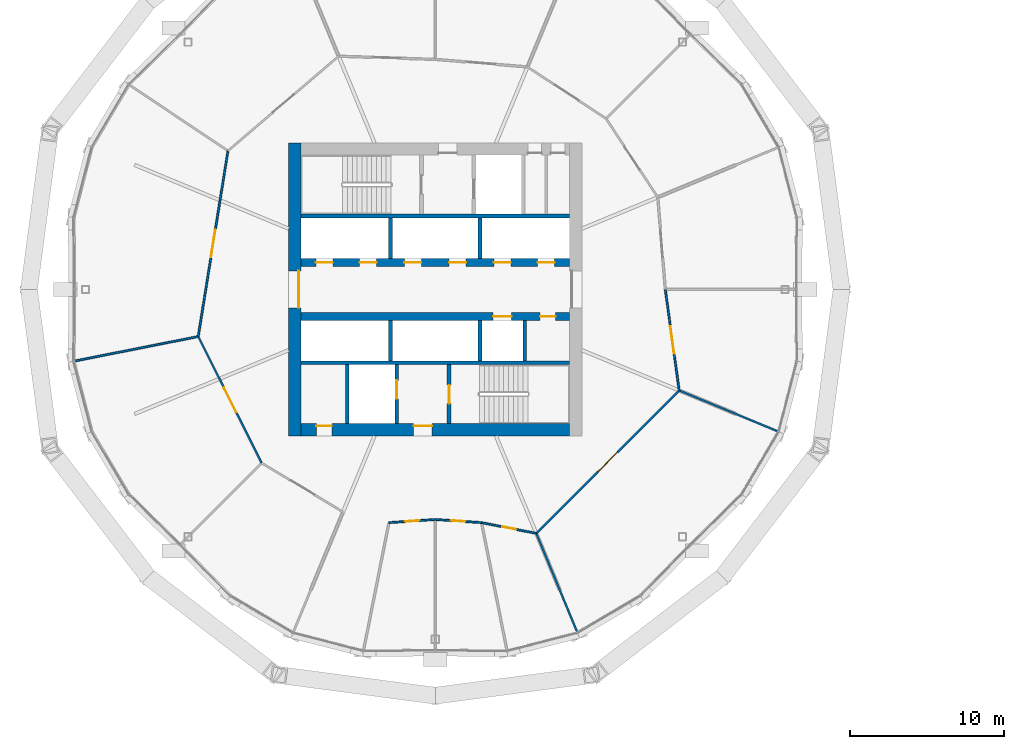
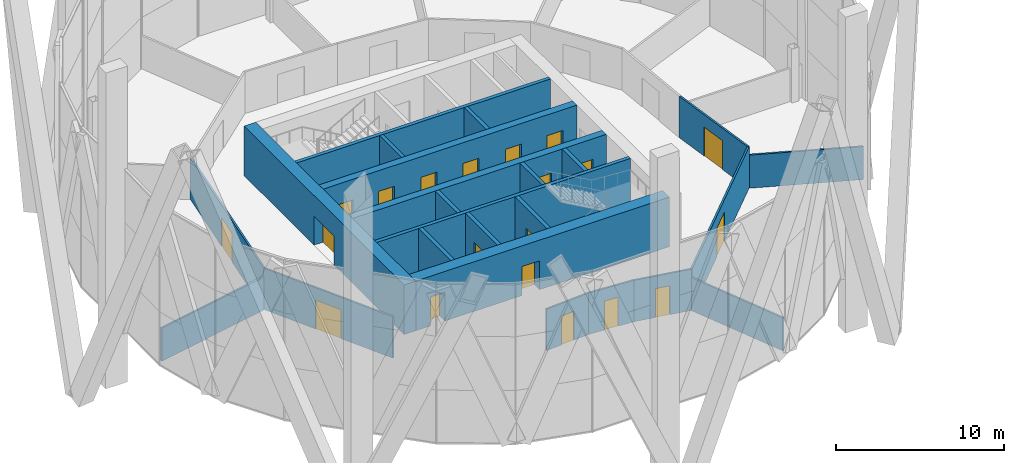
# One storey, part 19 of 26: 24 walls, 20 doors, 20 openings.
"""IFC4 building model written with IfcOpenShell, lengths in metres."""

from ifc_helpers import new_model, si_unit, direction, frame, frame_2d, origin, place, context, subcontext, project, spatial, rectangle, extrude, material, layer, layer_set, type_object, element, fill, save


model = new_model("IFC4")

# Units and contexts
model_context = context("Model", 3, precision=1e-05, world=origin(), true_north=direction((0.0, 1.0)))
body_context = subcontext(model_context, "Body", "Model", "MODEL_VIEW")
ifc_project = project(units=[si_unit("LENGTHUNIT", "METRE"), si_unit("AREAUNIT", "SQUARE_METRE"), si_unit("VOLUMEUNIT", "CUBIC_METRE"), si_unit("PLANEANGLEUNIT", "RADIAN"), si_unit("MASSUNIT", "GRAM", prefix="KILO")], contexts=[model_context])

# Site, building, storey
site_placement = place(None, origin())
site = spatial("IfcSite", under=ifc_project, at=site_placement, CompositionType="ELEMENT")
building_placement = place(site_placement, origin())
building = spatial("IfcBuilding", under=site, at=building_placement, Name="Ogive Gate Towers", CompositionType="ELEMENT")
storey_placement = place(building_placement, frame((0.0, 0.0, 76.199951171875)))
storey = spatial("IfcBuildingStorey", under=building, at=storey_placement, Name="L17", CompositionType="ELEMENT", Elevation=76.199951171875)

# Wall, openings, doors
ifc_material_1 = material(Name="Concrete C60/75", Category="concrete")
ifc_layer_1 = layer(ifc_material_1, 0.800048828125)
ifc_layer_set_1 = layer_set([ifc_layer_1], Name="Core wall 800 mm")
wall_type_1 = type_object("IfcWallType", Name="Core wall 800 mm", PredefinedType="SHEAR", material=ifc_layer_set_1)
wall_1_placement = place(storey_placement, frame((-44.699951171875, -9.10009765625, 0.0), z_axis=(0.0, 0.0, 1.0), x_axis=(1.0, 0.0, 0.0)))
wall_1 = element("IfcWall", 1, at=wall_1_placement, inside=storey, type_object=wall_type_1, Name="T1 L17 Core wall 800 mm", PredefinedType="SHEAR", context=body_context, shape_type="SweptSolid", body=[
    extrude(rectangle(XDim=17.39990234375, YDim=0.800048828125, at=frame_2d((8.699951171875, 0.0))), origin(), (0.0, 0.0, 1.0), 3.60009765625),
])
opening_1_placement = place(wall_1_placement, frame((7.300048828125, 0.0, 0.0)))
opening_1 = element("IfcOpeningElement", 2, at=opening_1_placement, cuts=wall_1, Name="Opening KD-T1-L17-16", PredefinedType="OPENING", context=body_context, shape_type="SweptSolid", body=[
    extrude(rectangle(XDim=1.199951171875, YDim=2.10009765625, at=frame_2d((0.60009765625, 1.050048828125))), frame((0.0, 0.41015625, 0.0), z_axis=(0.0, -1.0, 0.0), x_axis=(1.0, 0.0, 0.0)), (0.0, 0.0, 1.0), 0.820068359375),
])
opening_2_placement = place(wall_1_placement, frame((1.0, 0.0, 0.0)))
opening_2 = element("IfcOpeningElement", 3, at=opening_2_placement, cuts=wall_1, Name="Opening KD-T1-L17-19", PredefinedType="OPENING", context=body_context, shape_type="SweptSolid", body=[
    extrude(rectangle(XDim=1.0, YDim=2.10009765625, at=frame_2d((0.5, 1.050048828125))), frame((0.0, 0.41015625, 0.0), z_axis=(0.0, -1.0, 0.0), x_axis=(1.0, 0.0, 0.0)), (0.0, 0.0, 1.0), 0.820068359375),
])
ifc_material_2 = material(Name="Timber door", Category="wood")
door_type_1 = type_object("IfcDoorType", Name="Accessible WC door 1000 x 2100", OperationType="NOTDEFINED", PredefinedType="DOOR", material=ifc_material_2)
door_1_placement = place(opening_2_placement, origin())
door_1 = element("IfcDoor", 4, at=door_1_placement, inside=storey, type_object=door_type_1, Name="T1 L17 Core door", OperationType="SINGLE_SWING_RIGHT", OverallHeight=2.10009765625, OverallWidth=1.0, PredefinedType="DOOR", context=body_context, shape_type="SweptSolid", body=[
    extrude(rectangle(XDim=1.0, YDim=2.10009765625, at=frame_2d((0.5, 1.050048828125))), frame((0.0, 0.27490234375, 0.0), z_axis=(0.0, -1.0, 0.0), x_axis=(1.0, 0.0, 0.0)), (0.0, 0.0, 1.0), 0.050048828125),
])
fill(opening_2, door_1)
ifc_material_3 = material(Name="Steel fire door", Category="steel")
door_type_2 = type_object("IfcDoorType", Name="Core door FD60S 1200 x 2100", OperationType="NOTDEFINED", PredefinedType="DOOR", material=ifc_material_3)
door_2_placement = place(opening_1_placement, origin())
door_2 = element("IfcDoor", 5, at=door_2_placement, inside=storey, type_object=door_type_2, Name="T1 L17 Fire-fighting lobby door", OperationType="SINGLE_SWING_LEFT", OverallHeight=2.10009765625, OverallWidth=1.199951171875, PredefinedType="DOOR", context=body_context, shape_type="SweptSolid", body=[
    extrude(rectangle(XDim=1.199951171875, YDim=2.10009765625, at=frame_2d((0.60009765625, 1.050048828125))), frame((0.0, 0.27490234375, 0.0), z_axis=(0.0, -1.0, 0.0), x_axis=(1.0, 0.0, 0.0)), (0.0, 0.0, 1.0), 0.050048828125),
])
fill(opening_1, door_2)

# Wall, opening, door
wall_2_placement = place(storey_placement, frame((-45.10009765625, -9.5, 0.0), z_axis=(0.0, 0.0, 1.0), x_axis=(0.0, 1.0, 0.0)))
wall_2 = element("IfcWall", 6, at=wall_2_placement, inside=storey, type_object=wall_type_1, Name="T1 L17 Core wall 800 mm", PredefinedType="SHEAR", context=body_context, shape_type="SweptSolid", body=[
    extrude(rectangle(XDim=19.0, YDim=0.800048828125, at=frame_2d((9.5, 0.0))), origin(), (0.0, 0.0, 1.0), 3.60009765625),
])
opening_3_placement = place(wall_2_placement, frame((8.300048828125, 0.0, 0.0)))
opening_3 = element("IfcOpeningElement", 7, at=opening_3_placement, cuts=wall_2, Name="Opening KD-T1-L17-01", PredefinedType="OPENING", context=body_context, shape_type="SweptSolid", body=[
    extrude(rectangle(XDim=2.39990234375, YDim=2.10009765625, at=frame_2d((1.199951171875, 1.050048828125))), frame((0.0, 0.41015625, 0.0), z_axis=(0.0, -1.0, 0.0), x_axis=(1.0, 0.0, 0.0)), (0.0, 0.0, 1.0), 0.820068359375),
])
door_type_3 = type_object("IfcDoorType", Name="Core double door FD60S 2400 x 2100", OperationType="DOUBLE_DOOR_SINGLE_SWING", PredefinedType="DOOR", material=ifc_material_3)
door_3_placement = place(opening_3_placement, origin())
door_3 = element("IfcDoor", 8, at=door_3_placement, inside=storey, type_object=door_type_3, Name="T1 L17 Core door double", OperationType="DOUBLE_DOOR_SINGLE_SWING", OverallHeight=2.10009765625, OverallWidth=2.39990234375, PredefinedType="DOOR", context=body_context, shape_type="SweptSolid", body=[
    extrude(rectangle(XDim=2.39990234375, YDim=2.10009765625, at=frame_2d((1.199951171875, 1.050048828125))), frame((0.0, -0.22509765625, 0.0), z_axis=(0.0, -1.0, 0.0), x_axis=(1.0, 0.0, 0.0)), (0.0, 0.0, 1.0), 0.050048828125),
])
fill(opening_3, door_3)

# Walls
ifc_material_4 = material(Name="Gypsum board partition")
ifc_layer_2 = layer(ifc_material_4, 0.125)
ifc_layer_set_2 = layer_set([ifc_layer_2], Name="Partition 125")
wall_type_2 = type_object("IfcWallType", Name="Partition 125", PredefinedType="PARTITIONING", material=ifc_layer_set_2)
wall_3_placement = place(storey_placement, frame((-59.34375, -4.6357421875, 0.0), z_axis=(0.0, 0.0, 1.0), x_axis=(0.980844858088, 0.194790565382, 0.0)))
element("IfcWall", 9, at=wall_3_placement, inside=storey, type_object=wall_type_2, Name="Partition T1-L17-008", PredefinedType="PARTITIONING", context=body_context, shape_type="SweptSolid", body=[
    extrude(rectangle(XDim=8.07666015625, YDim=0.125, at=frame_2d((4.038330078125, 0.0))), origin(), (0.0, 0.0, 1.0), 2.400146484375),
])
for number, where, z_axis, x_axis, name in (
    (10, (-26.815673828125, -22.173095703125, 0.0), (0.0, 0.0, 1.0), (-0.382671864206, 0.923884324115, 0.0), "Partition T1-L17-014"),
    (11, (-13.826904296875, -9.184326171875, 0.0), (0.0, 0.0, 1.0), (-0.923884324115, 0.382671864206, 0.0), "Partition T1-L17-015"),
):
    element("IfcWall", number, at=place(storey_placement, frame(where, z_axis=z_axis, x_axis=x_axis)), inside=storey, type_object=wall_type_2, Name=name, PredefinedType="PARTITIONING", context=body_context, shape_type="SweptSolid", body=[
        extrude(rectangle(XDim=6.826416015625, YDim=0.125, at=frame_2d((3.4130859375, 0.0))), origin(), (0.0, 0.0, 1.0), 2.400146484375),
    ])

# Wall, opening, door
wall_4_placement = place(storey_placement, frame((-39.001708984375, -15.115478515625, 0.0), z_axis=(0.0, 0.0, 1.0), x_axis=(0.997663247132, 0.068323095086, 0.0)))
wall_4 = element("IfcWall", 12, at=wall_4_placement, inside=storey, type_object=wall_type_2, Name="Partition T1-L17-016", PredefinedType="PARTITIONING", context=body_context, shape_type="SweptSolid", body=[
    extrude(rectangle(XDim=3.0087890625, YDim=0.125, at=frame_2d((1.50439453125, 0.0))), origin(), (0.0, 0.0, 1.0), 3.010009765625),
])
opening_4_placement = place(wall_4_placement, frame((1.053955078125, 0.0, 0.0)))
opening_4 = element("IfcOpeningElement", 13, at=opening_4_placement, cuts=wall_4, Name="Opening T1-L17-D01", PredefinedType="OPENING", context=body_context, shape_type="SweptSolid", body=[
    extrude(rectangle(XDim=0.89990234375, YDim=2.10009765625, at=frame_2d((0.449951171875, 1.050048828125))), frame((0.0, 0.072509765625, 0.0), z_axis=(0.0, -1.0, 0.0), x_axis=(1.0, 0.0, 0.0)), (0.0, 0.0, 1.0), 0.14501953125),
])
door_type_4 = type_object("IfcDoorType", Name="Door 900", OperationType="NOTDEFINED", PredefinedType="DOOR", material=ifc_material_2)
door_4_placement = place(opening_4_placement, origin())
door_4 = element("IfcDoor", 14, at=door_4_placement, inside=storey, type_object=door_type_4, Name="Door T1-L17-D01", OperationType="SINGLE_SWING_RIGHT", OverallHeight=2.10009765625, OverallWidth=0.89990234375, PredefinedType="DOOR", context=body_context, shape_type="SweptSolid", body=[
    extrude(rectangle(XDim=0.89990234375, YDim=2.10009765625, at=frame_2d((0.449951171875, 1.050048828125))), frame((0.0, 0.02490234375, 0.0), z_axis=(0.0, -1.0, 0.0), x_axis=(1.0, 0.0, 0.0)), (0.0, 0.0, 1.0), 0.050048828125),
])
fill(opening_4, door_4)

wall_5_placement = place(storey_placement, frame((-36.0, -14.909912109375, 0.0), z_axis=(0.0, 0.0, 1.0), x_axis=(0.997663247132, -0.068323095086, 0.0)))
wall_5 = element("IfcWall", 15, at=wall_5_placement, inside=storey, type_object=wall_type_2, Name="Partition T1-L17-017", PredefinedType="PARTITIONING", context=body_context, shape_type="SweptSolid", body=[
    extrude(rectangle(XDim=3.0087890625, YDim=0.125, at=frame_2d((1.50439453125, 0.0))), origin(), (0.0, 0.0, 1.0), 3.010009765625),
])
opening_5_placement = place(wall_5_placement, frame((1.053955078125, 0.0, 0.0)))
opening_5 = element("IfcOpeningElement", 16, at=opening_5_placement, cuts=wall_5, Name="Opening T1-L17-D02", PredefinedType="OPENING", context=body_context, shape_type="SweptSolid", body=[
    extrude(rectangle(XDim=0.89990234375, YDim=2.10009765625, at=frame_2d((0.449951171875, 1.050048828125))), frame((0.0, 0.072509765625, 0.0), z_axis=(0.0, -1.0, 0.0), x_axis=(1.0, 0.0, 0.0)), (0.0, 0.0, 1.0), 0.14501953125),
])
door_5_placement = place(opening_5_placement, origin())
door_5 = element("IfcDoor", 17, at=door_5_placement, inside=storey, type_object=door_type_4, Name="Door T1-L17-D02", OperationType="SINGLE_SWING_LEFT", OverallHeight=2.10009765625, OverallWidth=0.89990234375, PredefinedType="DOOR", context=body_context, shape_type="SweptSolid", body=[
    extrude(rectangle(XDim=0.89990234375, YDim=2.10009765625, at=frame_2d((0.449951171875, 1.050048828125))), frame((0.0, 0.02490234375, 0.0), z_axis=(0.0, -1.0, 0.0), x_axis=(1.0, 0.0, 0.0)), (0.0, 0.0, 1.0), 0.050048828125),
])
fill(opening_5, door_5)

wall_6_placement = place(storey_placement, frame((-32.998291015625, -15.115478515625, 0.0), z_axis=(0.0, 0.0, 1.0), x_axis=(0.981431383332, -0.191813554817, 0.0)))
wall_6 = element("IfcWall", 18, at=wall_6_placement, inside=storey, type_object=wall_type_2, Name="Partition T1-L17-018", PredefinedType="PARTITIONING", context=body_context, shape_type="SweptSolid", body=[
    extrude(rectangle(XDim=3.613525390625, YDim=0.125, at=frame_2d((1.806640625, 0.0))), origin(), (0.0, 0.0, 1.0), 3.0),
])
opening_6_placement = place(wall_6_placement, frame((1.35693359375, 0.0, 0.0)))
opening_6 = element("IfcOpeningElement", 19, at=opening_6_placement, cuts=wall_6, Name="Opening T1-L17-D03", PredefinedType="OPENING", context=body_context, shape_type="SweptSolid", body=[
    extrude(rectangle(XDim=0.89990234375, YDim=2.10009765625, at=frame_2d((0.449951171875, 1.050048828125))), frame((0.0, 0.072509765625, 0.0), z_axis=(0.0, -1.0, 0.0), x_axis=(1.0, 0.0, 0.0)), (0.0, 0.0, 1.0), 0.14501953125),
])
door_6_placement = place(opening_6_placement, origin())
door_6 = element("IfcDoor", 20, at=door_6_placement, inside=storey, type_object=door_type_4, Name="Door T1-L17-D03", OperationType="SINGLE_SWING_RIGHT", OverallHeight=2.10009765625, OverallWidth=0.89990234375, PredefinedType="DOOR", context=body_context, shape_type="SweptSolid", body=[
    extrude(rectangle(XDim=0.89990234375, YDim=2.10009765625, at=frame_2d((0.449951171875, 1.050048828125))), frame((0.0, 0.02490234375, 0.0), z_axis=(0.0, -1.0, 0.0), x_axis=(1.0, 0.0, 0.0)), (0.0, 0.0, 1.0), 0.050048828125),
])
fill(opening_6, door_6)

wall_7_placement = place(storey_placement, frame((-29.451904296875, -15.80859375, 0.0), z_axis=(0.0, 0.0, 1.0), x_axis=(0.707106781187, 0.707106781187, 0.0)))
wall_7 = element("IfcWall", 21, at=wall_7_placement, inside=storey, type_object=wall_type_2, Name="Partition T1-L17-019", PredefinedType="PARTITIONING", context=body_context, shape_type="SweptSolid", body=[
    extrude(rectangle(XDim=13.096435546875, YDim=0.125, at=frame_2d((6.54833984375, 0.0))), origin(), (0.0, 0.0, 1.0), 3.0),
])
opening_7_placement = place(wall_7_placement, frame((5.64794921875, 0.0, 0.0)))
opening_7 = element("IfcOpeningElement", 22, at=opening_7_placement, cuts=wall_7, Name="Opening T1-L17-D04", PredefinedType="OPENING", context=body_context, shape_type="SweptSolid", body=[
    extrude(rectangle(XDim=1.800048828125, YDim=2.10009765625, at=frame_2d((0.89990234375, 1.050048828125))), frame((0.0, 0.072509765625, 0.0), z_axis=(0.0, -1.0, 0.0), x_axis=(1.0, 0.0, 0.0)), (0.0, 0.0, 1.0), 0.14501953125),
])
door_type_5 = type_object("IfcDoorType", Name="Door pair 1800", OperationType="NOTDEFINED", PredefinedType="DOOR", material=ifc_material_2)
door_7_placement = place(opening_7_placement, origin())
door_7 = element("IfcDoor", 23, at=door_7_placement, inside=storey, type_object=door_type_5, Name="Door T1-L17-D04", OperationType="DOUBLE_DOOR_DOUBLE_SWING", OverallHeight=2.10009765625, OverallWidth=1.800048828125, PredefinedType="DOOR", context=body_context, shape_type="SweptSolid", body=[
    extrude(rectangle(XDim=1.800048828125, YDim=2.10009765625, at=frame_2d((0.89990234375, 1.050048828125))), frame((0.0, 0.02490234375, 0.0), z_axis=(0.0, -1.0, 0.0), x_axis=(1.0, 0.0, 0.0)), (0.0, 0.0, 1.0), 0.050048828125),
])
fill(opening_7, door_7)

wall_8_placement = place(storey_placement, frame((-20.19140625, -6.548095703125, 0.0), z_axis=(0.0, 0.0, 1.0), x_axis=(-0.135968646616, 0.990713140691, 0.0)))
wall_8 = element("IfcWall", 24, at=wall_8_placement, inside=storey, type_object=wall_type_2, Name="Partition T1-L17-020", PredefinedType="PARTITIONING", context=body_context, shape_type="SweptSolid", body=[
    extrude(rectangle(XDim=6.609375, YDim=0.125, at=frame_2d((3.3046875, 0.0))), origin(), (0.0, 0.0, 1.0), 3.0),
])
opening_8_placement = place(wall_8_placement, frame((2.405029296875, 0.0, 0.0)))
opening_8 = element("IfcOpeningElement", 25, at=opening_8_placement, cuts=wall_8, Name="Opening T1-L17-D05", PredefinedType="OPENING", context=body_context, shape_type="SweptSolid", body=[
    extrude(rectangle(XDim=1.800048828125, YDim=2.10009765625, at=frame_2d((0.89990234375, 1.050048828125))), frame((0.0, 0.072509765625, 0.0), z_axis=(0.0, -1.0, 0.0), x_axis=(1.0, 0.0, 0.0)), (0.0, 0.0, 1.0), 0.14501953125),
])
door_8_placement = place(opening_8_placement, origin())
door_8 = element("IfcDoor", 26, at=door_8_placement, inside=storey, type_object=door_type_5, Name="Door T1-L17-D05", OperationType="DOUBLE_DOOR_DOUBLE_SWING", OverallHeight=2.10009765625, OverallWidth=1.800048828125, PredefinedType="DOOR", context=body_context, shape_type="SweptSolid", body=[
    extrude(rectangle(XDim=1.800048828125, YDim=2.10009765625, at=frame_2d((0.89990234375, 1.050048828125))), frame((0.0, 0.02490234375, 0.0), z_axis=(0.0, -1.0, 0.0), x_axis=(1.0, 0.0, 0.0)), (0.0, 0.0, 1.0), 0.050048828125),
])
fill(opening_8, door_8)

wall_9_placement = place(storey_placement, frame((-49.43408203125, 8.982666015625, 0.0), z_axis=(0.0, 0.0, 1.0), x_axis=(-0.158089733584, -0.987424749606, 0.0)))
wall_9 = element("IfcWall", 27, at=wall_9_placement, inside=storey, type_object=wall_type_2, Name="Partition T1-L17-027", PredefinedType="PARTITIONING", context=body_context, shape_type="SweptSolid", body=[
    extrude(rectangle(XDim=12.186279296875, YDim=0.125, at=frame_2d((6.09326171875, 0.0))), origin(), (0.0, 0.0, 1.0), 3.0),
])
opening_9_placement = place(wall_9_placement, frame((5.193115234375, 0.0, 0.0)))
opening_9 = element("IfcOpeningElement", 28, at=opening_9_placement, cuts=wall_9, Name="Opening T1-L17-D12", PredefinedType="OPENING", context=body_context, shape_type="SweptSolid", body=[
    extrude(rectangle(XDim=1.800048828125, YDim=2.10009765625, at=frame_2d((0.89990234375, 1.050048828125))), frame((0.0, 0.072509765625, 0.0), z_axis=(0.0, -1.0, 0.0), x_axis=(1.0, 0.0, 0.0)), (0.0, 0.0, 1.0), 0.14501953125),
])
door_9_placement = place(opening_9_placement, origin())
door_9 = element("IfcDoor", 29, at=door_9_placement, inside=storey, type_object=door_type_5, Name="Door T1-L17-D12", OperationType="DOUBLE_DOOR_DOUBLE_SWING", OverallHeight=2.10009765625, OverallWidth=1.800048828125, PredefinedType="DOOR", context=body_context, shape_type="SweptSolid", body=[
    extrude(rectangle(XDim=1.800048828125, YDim=2.10009765625, at=frame_2d((0.89990234375, 1.050048828125))), frame((0.0, 0.02490234375, 0.0), z_axis=(0.0, -1.0, 0.0), x_axis=(1.0, 0.0, 0.0)), (0.0, 0.0, 1.0), 0.050048828125),
])
fill(opening_9, door_9)

wall_10_placement = place(storey_placement, frame((-51.360595703125, -3.05029296875, 0.0), z_axis=(0.0, 0.0, 1.0), x_axis=(0.448150268207, -0.893958241254, 0.0)))
wall_10 = element("IfcWall", 30, at=wall_10_placement, inside=storey, type_object=wall_type_2, Name="Partition T1-L17-028", PredefinedType="PARTITIONING", context=body_context, shape_type="SweptSolid", body=[
    extrude(rectangle(XDim=9.17236328125, YDim=0.125, at=frame_2d((4.586181640625, 0.0))), origin(), (0.0, 0.0, 1.0), 3.0),
])
opening_10_placement = place(wall_10_placement, frame((3.68603515625, 0.0, 0.0)))
opening_10 = element("IfcOpeningElement", 31, at=opening_10_placement, cuts=wall_10, Name="Opening T1-L17-D13", PredefinedType="OPENING", context=body_context, shape_type="SweptSolid", body=[
    extrude(rectangle(XDim=1.800048828125, YDim=2.10009765625, at=frame_2d((0.89990234375, 1.050048828125))), frame((0.0, 0.072509765625, 0.0), z_axis=(0.0, -1.0, 0.0), x_axis=(1.0, 0.0, 0.0)), (0.0, 0.0, 1.0), 0.14501953125),
])
door_10_placement = place(opening_10_placement, origin())
door_10 = element("IfcDoor", 32, at=door_10_placement, inside=storey, type_object=door_type_5, Name="Door T1-L17-D13", OperationType="DOUBLE_DOOR_DOUBLE_SWING", OverallHeight=2.10009765625, OverallWidth=1.800048828125, PredefinedType="DOOR", context=body_context, shape_type="SweptSolid", body=[
    extrude(rectangle(XDim=1.800048828125, YDim=2.10009765625, at=frame_2d((0.89990234375, 1.050048828125))), frame((0.0, 0.02490234375, 0.0), z_axis=(0.0, -1.0, 0.0), x_axis=(1.0, 0.0, 0.0)), (0.0, 0.0, 1.0), 0.050048828125),
])
fill(opening_10, door_10)

# Walls
ifc_layer_3 = layer(ifc_material_1, 0.25)
ifc_layer_set_3 = layer_set([ifc_layer_3], Name="Shaft wall 250 mm")
wall_type_3 = type_object("IfcWallType", Name="Shaft wall 250 mm", PredefinedType="SHEAR", material=ifc_layer_set_3)
for number, where, z_axis, x_axis, name in (
    (33, (-44.699951171875, -4.75, 0.0), (0.0, 0.0, 1.0), (1.0, 0.0, 0.0), "T1 L17 Shaft wall 250 mm"),
    (34, (-44.699951171875, 4.75, 0.0), (0.0, 0.0, 1.0), (1.0, 0.0, 0.0), "T1 L17 Shaft wall 250 mm"),
):
    element("IfcWall", number, at=place(storey_placement, frame(where, z_axis=z_axis, x_axis=x_axis)), inside=storey, type_object=wall_type_3, Name=name, PredefinedType="SHEAR", context=body_context, shape_type="SweptSolid", body=[
        extrude(rectangle(XDim=17.39990234375, YDim=0.25, at=frame_2d((8.699951171875, 0.0))), origin(), (0.0, 0.0, 1.0), 3.60009765625),
    ])
wall_11_placement = place(storey_placement, frame((-41.699951171875, -8.699951171875, 0.0), z_axis=(0.0, 0.0, 1.0), x_axis=(0.0, 1.0, 0.0)))
element("IfcWall", 35, at=wall_11_placement, inside=storey, type_object=wall_type_3, Name="T1 L17 Shaft wall 250 mm", PredefinedType="SHEAR", context=body_context, shape_type="SweptSolid", body=[
    extrude(rectangle(XDim=3.824951171875, YDim=0.25, at=frame_2d((1.91259765625, 0.0))), origin(), (0.0, 0.0, 1.0), 3.60009765625),
])
for number, where, z_axis, x_axis, name in (
    (36, (-38.89990234375, -4.625, 0.0), (0.0, 0.0, 1.0), (0.0, 1.0, 0.0), "T1 L17 Shaft wall 250 mm"),
    (37, (-38.89990234375, 2.0, 0.0), (0.0, 0.0, 1.0), (0.0, 1.0, 0.0), "T1 L17 Shaft wall 250 mm"),
):
    element("IfcWall", number, at=place(storey_placement, frame(where, z_axis=z_axis, x_axis=x_axis)), inside=storey, type_object=wall_type_3, Name=name, PredefinedType="SHEAR", context=body_context, shape_type="SweptSolid", body=[
        extrude(rectangle(XDim=2.625, YDim=0.25, at=frame_2d((1.3125, 0.0))), origin(), (0.0, 0.0, 1.0), 3.60009765625),
    ])

# Wall, opening, door
wall_12_placement = place(storey_placement, frame((-38.5, -8.699951171875, 0.0), z_axis=(0.0, 0.0, 1.0), x_axis=(0.0, 1.0, 0.0)))
wall_12 = element("IfcWall", 38, at=wall_12_placement, inside=storey, type_object=wall_type_3, Name="T1 L17 Shaft wall 250 mm", PredefinedType="SHEAR", context=body_context, shape_type="SweptSolid", body=[
    extrude(rectangle(XDim=3.824951171875, YDim=0.25, at=frame_2d((1.91259765625, 0.0))), origin(), (0.0, 0.0, 1.0), 3.60009765625),
])
opening_11_placement = place(wall_12_placement, frame((1.60009765625, 0.0, 0.0)))
opening_11 = element("IfcOpeningElement", 39, at=opening_11_placement, cuts=wall_12, Name="Opening LD-T1-L17-11", PredefinedType="OPENING", context=body_context, shape_type="SweptSolid", body=[
    extrude(rectangle(XDim=1.199951171875, YDim=2.10009765625, at=frame_2d((0.60009765625, 1.050048828125))), frame((0.0, 0.135009765625, 0.0), z_axis=(0.0, -1.0, 0.0), x_axis=(1.0, 0.0, 0.0)), (0.0, 0.0, 1.0), 0.27001953125),
])
ifc_material_5 = material(Name="Stainless steel landing door", Category="steel")
door_type_6 = type_object("IfcDoorType", Name="Landing door 1200 x 2100", OperationType="SLIDING_TO_LEFT", PredefinedType="DOOR", material=ifc_material_5)
door_11_placement = place(opening_11_placement, origin())
door_11 = element("IfcDoor", 40, at=door_11_placement, inside=storey, type_object=door_type_6, Name="T1 L17 Lift landing door FF2", OperationType="SLIDING_TO_LEFT", OverallHeight=2.10009765625, OverallWidth=1.199951171875, PredefinedType="DOOR", context=body_context, shape_type="SweptSolid", body=[
    extrude(rectangle(XDim=1.199951171875, YDim=2.10009765625, at=frame_2d((0.60009765625, 1.050048828125))), frame((0.0, 0.02490234375, 0.0), z_axis=(0.0, -1.0, 0.0), x_axis=(1.0, 0.0, 0.0)), (0.0, 0.0, 1.0), 0.050048828125),
])
fill(opening_11, door_11)

wall_13_placement = place(storey_placement, frame((-35.10009765625, -8.699951171875, 0.0), z_axis=(0.0, 0.0, 1.0), x_axis=(0.0, 1.0, 0.0)))
wall_13 = element("IfcWall", 41, at=wall_13_placement, inside=storey, type_object=wall_type_3, Name="T1 L17 Shaft wall 250 mm", PredefinedType="SHEAR", context=body_context, shape_type="SweptSolid", body=[
    extrude(rectangle(XDim=3.824951171875, YDim=0.25, at=frame_2d((1.91259765625, 0.0))), origin(), (0.0, 0.0, 1.0), 3.60009765625),
])
opening_12_placement = place(wall_13_placement, frame((1.300048828125, 0.0, 0.0)))
opening_12 = element("IfcOpeningElement", 42, at=opening_12_placement, cuts=wall_13, Name="Opening KD-T1-L17-14", PredefinedType="OPENING", context=body_context, shape_type="SweptSolid", body=[
    extrude(rectangle(XDim=1.199951171875, YDim=2.10009765625, at=frame_2d((0.60009765625, 1.050048828125))), frame((0.0, 0.135009765625, 0.0), z_axis=(0.0, -1.0, 0.0), x_axis=(1.0, 0.0, 0.0)), (0.0, 0.0, 1.0), 0.27001953125),
])
door_12_placement = place(opening_12_placement, origin())
door_12 = element("IfcDoor", 43, at=door_12_placement, inside=storey, type_object=door_type_2, Name="T1 L17 Stair door", OperationType="SINGLE_SWING_LEFT", OverallHeight=2.10009765625, OverallWidth=1.199951171875, PredefinedType="DOOR", context=body_context, shape_type="SweptSolid", body=[
    extrude(rectangle(XDim=1.199951171875, YDim=2.10009765625, at=frame_2d((0.60009765625, 1.050048828125))), frame((0.0, 0.02490234375, 0.0), z_axis=(0.0, -1.0, 0.0), x_axis=(1.0, 0.0, 0.0)), (0.0, 0.0, 1.0), 0.050048828125),
])
fill(opening_12, door_12)

# Walls
for number, where, z_axis, x_axis, name in (
    (44, (-33.10009765625, -4.625, 0.0), (0.0, 0.0, 1.0), (0.0, 1.0, 0.0), "T1 L17 Shaft wall 250 mm"),
    (45, (-33.10009765625, 2.0, 0.0), (0.0, 0.0, 1.0), (0.0, 1.0, 0.0), "T1 L17 Shaft wall 250 mm"),
    (46, (-30.199951171875, -4.625, 0.0), (0.0, 0.0, 1.0), (0.0, 1.0, 0.0), "T1 L17 Shaft wall 250 mm"),
):
    element("IfcWall", number, at=place(storey_placement, frame(where, z_axis=z_axis, x_axis=x_axis)), inside=storey, type_object=wall_type_3, Name=name, PredefinedType="SHEAR", context=body_context, shape_type="SweptSolid", body=[
        extrude(rectangle(XDim=2.625, YDim=0.25, at=frame_2d((1.3125, 0.0))), origin(), (0.0, 0.0, 1.0), 3.60009765625),
    ])

# Wall, openings, doors
ifc_layer_4 = layer(ifc_material_1, 0.5)
ifc_layer_set_4 = layer_set([ifc_layer_4], Name="Spine wall 500 mm")
wall_type_4 = type_object("IfcWallType", Name="Spine wall 500 mm", PredefinedType="SHEAR", material=ifc_layer_set_4)
wall_14_placement = place(storey_placement, frame((-44.699951171875, -1.75, 0.0), z_axis=(0.0, 0.0, 1.0), x_axis=(1.0, 0.0, 0.0)))
wall_14 = element("IfcWall", 47, at=wall_14_placement, inside=storey, type_object=wall_type_4, Name="T1 L17 Spine wall 500 mm", PredefinedType="SHEAR", context=body_context, shape_type="SweptSolid", body=[
    extrude(rectangle(XDim=17.39990234375, YDim=0.5, at=frame_2d((8.699951171875, 0.0))), origin(), (0.0, 0.0, 1.0), 3.60009765625),
])
opening_13_placement = place(wall_14_placement, frame((12.449951171875, 0.0, 0.0)))
opening_13 = element("IfcOpeningElement", 48, at=opening_13_placement, cuts=wall_14, Name="Opening LD-T1-L17-09", PredefinedType="OPENING", context=body_context, shape_type="SweptSolid", body=[
    extrude(rectangle(XDim=1.199951171875, YDim=2.10009765625, at=frame_2d((0.60009765625, 1.050048828125))), frame((0.0, 0.260009765625, 0.0), z_axis=(0.0, -1.0, 0.0), x_axis=(1.0, 0.0, 0.0)), (0.0, 0.0, 1.0), 0.52001953125),
])
opening_14_placement = place(wall_14_placement, frame((15.5, 0.0, 0.0)))
opening_14 = element("IfcOpeningElement", 49, at=opening_14_placement, cuts=wall_14, Name="Opening KD-T1-L17-12", PredefinedType="OPENING", context=body_context, shape_type="SweptSolid", body=[
    extrude(rectangle(XDim=1.0, YDim=2.10009765625, at=frame_2d((0.5, 1.050048828125))), frame((0.0, 0.260009765625, 0.0), z_axis=(0.0, -1.0, 0.0), x_axis=(1.0, 0.0, 0.0)), (0.0, 0.0, 1.0), 0.52001953125),
])
door_type_7 = type_object("IfcDoorType", Name="Core door FD60S 1000 x 2100", OperationType="NOTDEFINED", PredefinedType="DOOR", material=ifc_material_3)
door_13_placement = place(opening_14_placement, origin())
door_13 = element("IfcDoor", 50, at=door_13_placement, inside=storey, type_object=door_type_7, Name="T1 L17 Core door", OperationType="SINGLE_SWING_LEFT", OverallHeight=2.10009765625, OverallWidth=1.0, PredefinedType="DOOR", context=body_context, shape_type="SweptSolid", body=[
    extrude(rectangle(XDim=1.0, YDim=2.10009765625, at=frame_2d((0.5, 1.050048828125))), frame((0.0, 0.02490234375, 0.0), z_axis=(0.0, -1.0, 0.0), x_axis=(1.0, 0.0, 0.0)), (0.0, 0.0, 1.0), 0.050048828125),
])
fill(opening_14, door_13)
door_14_placement = place(opening_13_placement, origin())
door_14 = element("IfcDoor", 51, at=door_14_placement, inside=storey, type_object=door_type_6, Name="T1 L17 Lift landing door SVC", OperationType="SLIDING_TO_LEFT", OverallHeight=2.10009765625, OverallWidth=1.199951171875, PredefinedType="DOOR", context=body_context, shape_type="SweptSolid", body=[
    extrude(rectangle(XDim=1.199951171875, YDim=2.10009765625, at=frame_2d((0.60009765625, 1.050048828125))), frame((0.0, 0.02490234375, 0.0), z_axis=(0.0, -1.0, 0.0), x_axis=(1.0, 0.0, 0.0)), (0.0, 0.0, 1.0), 0.050048828125),
])
fill(opening_13, door_14)

wall_15_placement = place(storey_placement, frame((-44.699951171875, 1.75, 0.0), z_axis=(0.0, 0.0, 1.0), x_axis=(1.0, 0.0, 0.0)))
wall_15 = element("IfcWall", 52, at=wall_15_placement, inside=storey, type_object=wall_type_4, Name="T1 L17 Spine wall 500 mm", PredefinedType="SHEAR", context=body_context, shape_type="SweptSolid", body=[
    extrude(rectangle(XDim=17.39990234375, YDim=0.5, at=frame_2d((8.699951171875, 0.0))), origin(), (0.0, 0.0, 1.0), 3.60009765625),
])
opening_15_placement = place(wall_15_placement, frame((0.96240234375, 0.0, 0.0)))
opening_15 = element("IfcOpeningElement", 53, at=opening_15_placement, cuts=wall_15, Name="Opening LD-T1-L17-03", PredefinedType="OPENING", context=body_context, shape_type="SweptSolid", body=[
    extrude(rectangle(XDim=1.10009765625, YDim=2.10009765625, at=frame_2d((0.550048828125, 1.050048828125))), frame((0.0, 0.260009765625, 0.0), z_axis=(0.0, -1.0, 0.0), x_axis=(1.0, 0.0, 0.0)), (0.0, 0.0, 1.0), 0.52001953125),
])
opening_16_placement = place(wall_15_placement, frame((3.800048828125, 0.0, 0.0)))
opening_16 = element("IfcOpeningElement", 54, at=opening_16_placement, cuts=wall_15, Name="Opening LD-T1-L17-04", PredefinedType="OPENING", context=body_context, shape_type="SweptSolid", body=[
    extrude(rectangle(XDim=1.10009765625, YDim=2.10009765625, at=frame_2d((0.550048828125, 1.050048828125))), frame((0.0, 0.260009765625, 0.0), z_axis=(0.0, -1.0, 0.0), x_axis=(1.0, 0.0, 0.0)), (0.0, 0.0, 1.0), 0.52001953125),
])
opening_17_placement = place(wall_15_placement, frame((6.699951171875, 0.0, 0.0)))
opening_17 = element("IfcOpeningElement", 55, at=opening_17_placement, cuts=wall_15, Name="Opening LD-T1-L17-05", PredefinedType="OPENING", context=body_context, shape_type="SweptSolid", body=[
    extrude(rectangle(XDim=1.10009765625, YDim=2.10009765625, at=frame_2d((0.550048828125, 1.050048828125))), frame((0.0, 0.260009765625, 0.0), z_axis=(0.0, -1.0, 0.0), x_axis=(1.0, 0.0, 0.0)), (0.0, 0.0, 1.0), 0.52001953125),
])
opening_18_placement = place(wall_15_placement, frame((9.60009765625, 0.0, 0.0)))
opening_18 = element("IfcOpeningElement", 56, at=opening_18_placement, cuts=wall_15, Name="Opening LD-T1-L17-06", PredefinedType="OPENING", context=body_context, shape_type="SweptSolid", body=[
    extrude(rectangle(XDim=1.10009765625, YDim=2.10009765625, at=frame_2d((0.550048828125, 1.050048828125))), frame((0.0, 0.260009765625, 0.0), z_axis=(0.0, -1.0, 0.0), x_axis=(1.0, 0.0, 0.0)), (0.0, 0.0, 1.0), 0.52001953125),
])
opening_19_placement = place(wall_15_placement, frame((12.5, 0.0, 0.0)))
opening_19 = element("IfcOpeningElement", 57, at=opening_19_placement, cuts=wall_15, Name="Opening LD-T1-L17-07", PredefinedType="OPENING", context=body_context, shape_type="SweptSolid", body=[
    extrude(rectangle(XDim=1.10009765625, YDim=2.10009765625, at=frame_2d((0.550048828125, 1.050048828125))), frame((0.0, 0.260009765625, 0.0), z_axis=(0.0, -1.0, 0.0), x_axis=(1.0, 0.0, 0.0)), (0.0, 0.0, 1.0), 0.52001953125),
])
opening_20_placement = place(wall_15_placement, frame((15.33740234375, 0.0, 0.0)))
opening_20 = element("IfcOpeningElement", 58, at=opening_20_placement, cuts=wall_15, Name="Opening LD-T1-L17-08", PredefinedType="OPENING", context=body_context, shape_type="SweptSolid", body=[
    extrude(rectangle(XDim=1.10009765625, YDim=2.10009765625, at=frame_2d((0.550048828125, 1.050048828125))), frame((0.0, 0.260009765625, 0.0), z_axis=(0.0, -1.0, 0.0), x_axis=(1.0, 0.0, 0.0)), (0.0, 0.0, 1.0), 0.52001953125),
])
door_type_8 = type_object("IfcDoorType", Name="Landing door 1100 x 2100", OperationType="SLIDING_TO_LEFT", PredefinedType="DOOR", material=ifc_material_5)
door_15_placement = place(opening_15_placement, origin())
door_15 = element("IfcDoor", 59, at=door_15_placement, inside=storey, type_object=door_type_8, Name="T1 L17 Lift landing door A1", OperationType="SLIDING_TO_LEFT", OverallHeight=2.10009765625, OverallWidth=1.10009765625, PredefinedType="DOOR", context=body_context, shape_type="SweptSolid", body=[
    extrude(rectangle(XDim=1.10009765625, YDim=2.10009765625, at=frame_2d((0.550048828125, 1.050048828125))), frame((0.0, 0.02490234375, 0.0), z_axis=(0.0, -1.0, 0.0), x_axis=(1.0, 0.0, 0.0)), (0.0, 0.0, 1.0), 0.050048828125),
])
fill(opening_15, door_15)
door_16_placement = place(opening_16_placement, origin())
door_16 = element("IfcDoor", 60, at=door_16_placement, inside=storey, type_object=door_type_8, Name="T1 L17 Lift landing door A2", OperationType="SLIDING_TO_LEFT", OverallHeight=2.10009765625, OverallWidth=1.10009765625, PredefinedType="DOOR", context=body_context, shape_type="SweptSolid", body=[
    extrude(rectangle(XDim=1.10009765625, YDim=2.10009765625, at=frame_2d((0.550048828125, 1.050048828125))), frame((0.0, 0.02490234375, 0.0), z_axis=(0.0, -1.0, 0.0), x_axis=(1.0, 0.0, 0.0)), (0.0, 0.0, 1.0), 0.050048828125),
])
fill(opening_16, door_16)
door_17_placement = place(opening_17_placement, origin())
door_17 = element("IfcDoor", 61, at=door_17_placement, inside=storey, type_object=door_type_8, Name="T1 L17 Lift landing door A3", OperationType="SLIDING_TO_LEFT", OverallHeight=2.10009765625, OverallWidth=1.10009765625, PredefinedType="DOOR", context=body_context, shape_type="SweptSolid", body=[
    extrude(rectangle(XDim=1.10009765625, YDim=2.10009765625, at=frame_2d((0.550048828125, 1.050048828125))), frame((0.0, 0.02490234375, 0.0), z_axis=(0.0, -1.0, 0.0), x_axis=(1.0, 0.0, 0.0)), (0.0, 0.0, 1.0), 0.050048828125),
])
fill(opening_17, door_17)
door_18_placement = place(opening_18_placement, origin())
door_18 = element("IfcDoor", 62, at=door_18_placement, inside=storey, type_object=door_type_8, Name="T1 L17 Lift landing door A4", OperationType="SLIDING_TO_LEFT", OverallHeight=2.10009765625, OverallWidth=1.10009765625, PredefinedType="DOOR", context=body_context, shape_type="SweptSolid", body=[
    extrude(rectangle(XDim=1.10009765625, YDim=2.10009765625, at=frame_2d((0.550048828125, 1.050048828125))), frame((0.0, 0.02490234375, 0.0), z_axis=(0.0, -1.0, 0.0), x_axis=(1.0, 0.0, 0.0)), (0.0, 0.0, 1.0), 0.050048828125),
])
fill(opening_18, door_18)
door_19_placement = place(opening_19_placement, origin())
door_19 = element("IfcDoor", 63, at=door_19_placement, inside=storey, type_object=door_type_8, Name="T1 L17 Lift landing door A5", OperationType="SLIDING_TO_LEFT", OverallHeight=2.10009765625, OverallWidth=1.10009765625, PredefinedType="DOOR", context=body_context, shape_type="SweptSolid", body=[
    extrude(rectangle(XDim=1.10009765625, YDim=2.10009765625, at=frame_2d((0.550048828125, 1.050048828125))), frame((0.0, 0.02490234375, 0.0), z_axis=(0.0, -1.0, 0.0), x_axis=(1.0, 0.0, 0.0)), (0.0, 0.0, 1.0), 0.050048828125),
])
fill(opening_19, door_19)
door_20_placement = place(opening_20_placement, origin())
door_20 = element("IfcDoor", 64, at=door_20_placement, inside=storey, type_object=door_type_8, Name="T1 L17 Lift landing door A6", OperationType="SLIDING_TO_LEFT", OverallHeight=2.10009765625, OverallWidth=1.10009765625, PredefinedType="DOOR", context=body_context, shape_type="SweptSolid", body=[
    extrude(rectangle(XDim=1.10009765625, YDim=2.10009765625, at=frame_2d((0.550048828125, 1.050048828125))), frame((0.0, 0.02490234375, 0.0), z_axis=(0.0, -1.0, 0.0), x_axis=(1.0, 0.0, 0.0)), (0.0, 0.0, 1.0), 0.050048828125),
])
fill(opening_20, door_20)

save(model, "model.ifc")
